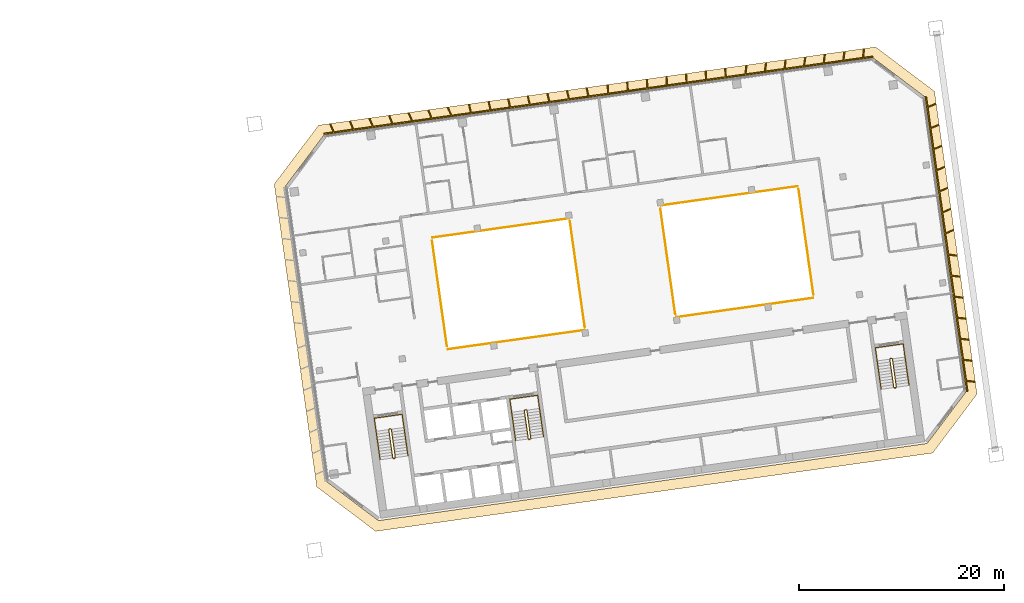
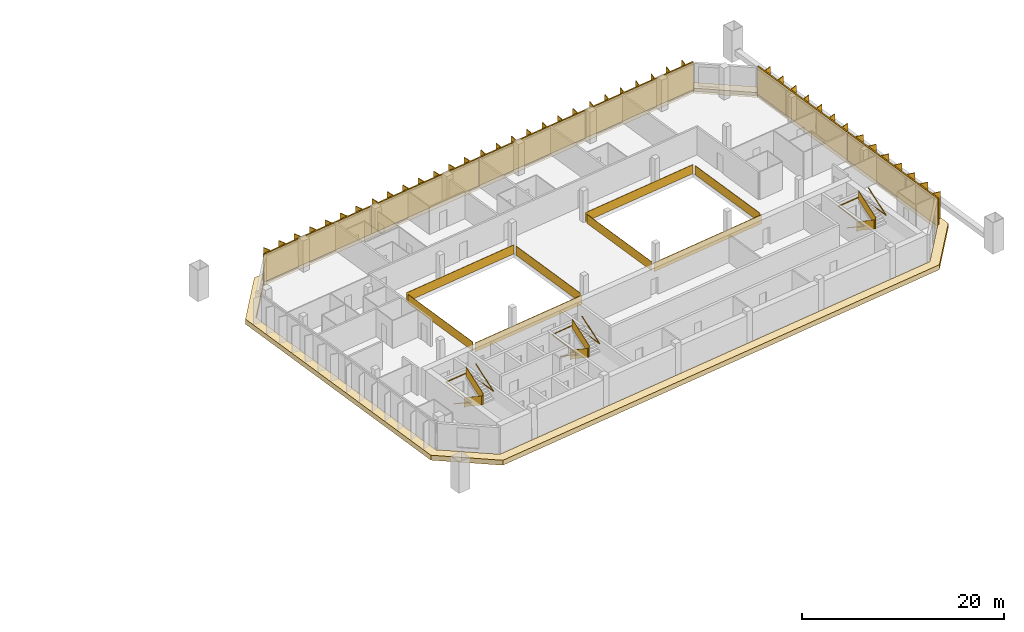
# One storey, part 31 of 31: 14 railings, 6 shading devices, 1 covering.
"""IFC4 building model written with IfcOpenShell, lengths in metres."""

from ifc_helpers import new_model, si_unit, direction, frame, origin, origin_2d, place, context, subcontext, project, spatial, polyline, rectangle, outline, extrude, material, layer, layer_set, type_object, element, save


model = new_model("IFC4")

# Units and contexts
model_context = context("Model", 3, precision=1e-05, world=origin(), true_north=direction((0.0, 1.0)))
body_context = subcontext(model_context, "Body", "Model", "MODEL_VIEW")
ifc_project = project(units=[si_unit("LENGTHUNIT", "METRE"), si_unit("AREAUNIT", "SQUARE_METRE"), si_unit("VOLUMEUNIT", "CUBIC_METRE"), si_unit("PLANEANGLEUNIT", "RADIAN"), si_unit("MASSUNIT", "GRAM", prefix="KILO")], contexts=[model_context])

# Site, building, storey
site_placement = place(None, origin())
site = spatial("IfcSite", under=ifc_project, at=site_placement, CompositionType="ELEMENT")
building_placement = place(site_placement, origin())
building = spatial("IfcBuilding", under=site, at=building_placement, Name="Mirante Cascada Hotel Towers", CompositionType="ELEMENT")
storey_placement = place(building_placement, frame((0.0, 0.0, 157.4)))
storey = spatial("IfcBuildingStorey", under=building, at=storey_placement, Name="L36", CompositionType="ELEMENT", Elevation=157.4)

# Railings
ifc_material_1 = material(Name="Toughened glass with stainless steel handrail", Category="steel")
railing_type_1 = type_object("IfcRailingType", Name="Atrium guard 1100 glass balustrade", PredefinedType="GUARDRAIL", material=ifc_material_1)
railing_1_placement = place(storey_placement, frame((43.8418, -3.4881, 0.0)))
element("IfcRailing", 1, at=railing_1_placement, inside=storey, type_object=railing_type_1, Name="GUARD 2-L36-1", PredefinedType="GUARDRAIL", context=body_context, shape_type="SweptSolid", body=[
    extrude(rectangle(XDim=0.048, YDim=0.048, at=origin_2d()), frame((0.0, 0.0, 1.076), z_axis=(0.9902674, 0.1391775, 0.0), x_axis=(-0.1391775, 0.9902674, 0.0)), (0.0, 0.0, 1.0), 13.4792),
    extrude(rectangle(XDim=0.02, YDim=1.052, at=origin_2d()), frame((0.0, 0.0, 0.526), z_axis=(0.9902674, 0.1391775, 0.0), x_axis=(-0.1391775, 0.9902674, 0.0)), (0.0, 0.0, 1.0), 13.4792),
])
railing_2_placement = place(storey_placement, frame((55.6589, 9.2808, 0.0)))
element("IfcRailing", 2, at=railing_2_placement, inside=storey, type_object=railing_type_1, Name="GUARD 2-L36-2", PredefinedType="GUARDRAIL", context=body_context, shape_type="SweptSolid", body=[
    extrude(rectangle(XDim=0.048, YDim=0.048, at=origin_2d()), frame((0.0, 0.0, 1.076), z_axis=(-0.9902685, -0.1391703, 0.0), x_axis=(0.1391703, -0.9902685, 0.0)), (0.0, 0.0, 1.0), 13.4792),
    extrude(rectangle(XDim=0.02, YDim=1.052, at=origin_2d()), frame((0.0, 0.0, 0.526), z_axis=(-0.9902685, -0.1391703, 0.0), x_axis=(0.1391703, -0.9902685, 0.0)), (0.0, 0.0, 1.0), 13.4792),
])
railing_3_placement = place(storey_placement, frame((66.1081, -0.3588, 0.0)))
element("IfcRailing", 3, at=railing_3_placement, inside=storey, type_object=railing_type_1, Name="GUARD 2-L36-3", PredefinedType="GUARDRAIL", context=body_context, shape_type="SweptSolid", body=[
    extrude(rectangle(XDim=0.048, YDim=0.048, at=origin_2d()), frame((0.0, 0.0, 1.076), z_axis=(0.9902672, 0.1391793, 0.0), x_axis=(-0.1391793, 0.9902672, 0.0)), (0.0, 0.0, 1.0), 13.5149),
    extrude(rectangle(XDim=0.02, YDim=1.052, at=origin_2d()), frame((0.0, 0.0, 0.526), z_axis=(0.9902672, 0.1391793, 0.0), x_axis=(-0.1391793, 0.9902672, 0.0)), (0.0, 0.0, 1.0), 13.5149),
    extrude(rectangle(XDim=0.048, YDim=0.048, at=origin_2d()), frame((13.3834, 1.881, 1.076), z_axis=(-0.9889364, -0.1483405, 0.0), x_axis=(0.1483405, -0.9889364, 0.0)), (0.0, 0.0, 1.0), 0.0061),
    extrude(rectangle(XDim=0.02, YDim=1.052, at=origin_2d()), frame((13.3834, 1.881, 0.526), z_axis=(-0.9889364, -0.1483405, 0.0), x_axis=(0.1483405, -0.9889364, 0.0)), (0.0, 0.0, 1.0), 0.0061),
])
railing_4_placement = place(storey_placement, frame((77.9546, 12.4143, 0.0)))
element("IfcRailing", 4, at=railing_4_placement, inside=storey, type_object=railing_type_1, Name="GUARD 2-L36-4", PredefinedType="GUARDRAIL", context=body_context, shape_type="SweptSolid", body=[
    extrude(rectangle(XDim=0.048, YDim=0.048, at=origin_2d()), frame((0.0, 0.0, 1.076), z_axis=(0.9912279, 0.1321637, 0.0), x_axis=(-0.1321637, 0.9912279, 0.0)), (0.0, 0.0, 1.0), 0.0061),
    extrude(rectangle(XDim=0.02, YDim=1.052, at=origin_2d()), frame((0.0, 0.0, 0.526), z_axis=(0.9912279, 0.1321637, 0.0), x_axis=(-0.1321637, 0.9912279, 0.0)), (0.0, 0.0, 1.0), 0.0061),
    extrude(rectangle(XDim=0.048, YDim=0.048, at=origin_2d()), frame((0.006, 0.0008, 1.076), z_axis=(-0.9902682, -0.1391721, 0.0), x_axis=(0.1391721, -0.9902682, 0.0)), (0.0, 0.0, 1.0), 13.5149),
    extrude(rectangle(XDim=0.02, YDim=1.052, at=origin_2d()), frame((0.006, 0.0008, 0.526), z_axis=(-0.9902682, -0.1391721, 0.0), x_axis=(0.1391721, -0.9902682, 0.0)), (0.0, 0.0, 1.0), 13.5149),
])
railing_5_placement = place(storey_placement, frame((42.3025, 7.1053, 0.0)))
element("IfcRailing", 5, at=railing_5_placement, inside=storey, type_object=railing_type_1, Name="GUARD 2-L36-5", PredefinedType="GUARDRAIL", context=body_context, shape_type="SweptSolid", body=[
    extrude(rectangle(XDim=0.048, YDim=0.048, at=origin_2d()), frame((0.0, 0.0, 1.076), z_axis=(0.1391776, -0.9902674, 0.0), x_axis=(0.9902674, 0.1391776, 0.0)), (0.0, 0.0, 1.0), 10.409),
    extrude(rectangle(XDim=0.02, YDim=1.052, at=origin_2d()), frame((0.0, 0.0, 0.526), z_axis=(0.1391776, -0.9902674, 0.0), x_axis=(0.9902674, 0.1391776, 0.0)), (0.0, 0.0, 1.0), 10.409),
])
railing_6_placement = place(storey_placement, frame((57.1972, -1.3125, 0.0)))
element("IfcRailing", 6, at=railing_6_placement, inside=storey, type_object=railing_type_1, Name="GUARD 2-L36-6", PredefinedType="GUARDRAIL", context=body_context, shape_type="SweptSolid", body=[
    extrude(rectangle(XDim=0.048, YDim=0.048, at=origin_2d()), frame((0.0, 0.0, 1.076), z_axis=(-0.1391721, 0.9902682, 0.0), x_axis=(-0.9902682, -0.1391721, 0.0)), (0.0, 0.0, 1.0), 10.4087),
    extrude(rectangle(XDim=0.02, YDim=1.052, at=origin_2d()), frame((0.0, 0.0, 0.526), z_axis=(-0.1391721, 0.9902682, 0.0), x_axis=(-0.9902682, -0.1391721, 0.0)), (0.0, 0.0, 1.0), 10.4087),
])
railing_7_placement = place(storey_placement, frame((64.5698, 10.2346, 0.0)))
element("IfcRailing", 7, at=railing_7_placement, inside=storey, type_object=railing_type_1, Name="GUARD 2-L36-7", PredefinedType="GUARDRAIL", context=body_context, shape_type="SweptSolid", body=[
    extrude(rectangle(XDim=0.048, YDim=0.048, at=origin_2d()), frame((0.0, 0.0, 1.076), z_axis=(0.1391721, -0.9902682, 0.0), x_axis=(0.9902682, 0.1391721, 0.0)), (0.0, 0.0, 1.0), 10.4087),
    extrude(rectangle(XDim=0.02, YDim=1.052, at=origin_2d()), frame((0.0, 0.0, 0.526), z_axis=(0.1391721, -0.9902682, 0.0), x_axis=(0.9902682, 0.1391721, 0.0)), (0.0, 0.0, 1.0), 10.4087),
])
railing_8_placement = place(storey_placement, frame((79.4999, 1.8217, 0.0)))
element("IfcRailing", 8, at=railing_8_placement, inside=storey, type_object=railing_type_1, Name="GUARD 2-L36-8", PredefinedType="GUARDRAIL", context=body_context, shape_type="SweptSolid", body=[
    extrude(rectangle(XDim=0.048, YDim=0.048, at=origin_2d()), frame((0.0, 0.0, 1.076), z_axis=(-0.1391762, 0.9902676, 0.0), x_axis=(-0.9902676, -0.1391762, 0.0)), (0.0, 0.0, 1.0), 10.4091),
    extrude(rectangle(XDim=0.02, YDim=1.052, at=origin_2d()), frame((0.0, 0.0, 0.526), z_axis=(-0.1391762, 0.9902676, 0.0), x_axis=(-0.9902676, -0.1391762, 0.0)), (0.0, 0.0, 1.0), 10.4091),
])

# Covering
ifc_material_2 = material(Name="Precast concrete C40/50 white", Category="concrete")
ifc_layer = layer(ifc_material_2, 0.6)
ifc_layer_set = layer_set([ifc_layer], Name="Precast concrete SUNSHADE band 1000x600")
covering_type = type_object("IfcCoveringType", Name="Precast concrete SUNSHADE band 1000x600", PredefinedType="CLADDING", material=ifc_layer_set)
covering_placement = place(storey_placement, frame((0.0, 0.0, -0.45)))
element("IfcCovering", 9, at=covering_placement, inside=storey, type_object=covering_type, Name="Precast concrete SUNSHADE band T2 L36", PredefinedType="CLADDING", context=body_context, shape_type="SweptSolid", body=[
    extrude(outline(polyline([(26.8987, 12.6249), (31.2272, 18.369), (85.5574, 26.0046), (91.3015, 21.6761), (95.4528, -7.862), (91.1243, -13.6061), (36.7941, -21.2417), (31.05, -16.9132), (26.8987, 12.6249)]), holes=[polyline([(94.4049, -7.591), (90.3689, 21.1268), (85.2864, 24.9567), (31.7765, 17.4364), (27.9466, 12.3539), (31.9826, -16.3639), (37.0651, -20.1938), (90.575, -12.6735), (94.4049, -7.591)])]), origin(), (0.0, 0.0, 1.0), 0.6),
])

# Railings
ifc_material_3 = material(Name="Painted steel", Category="steel")
railing_type_2 = type_object("IfcRailingType", Name="Stair guard 1100 steel balustrade", PredefinedType="GUARDRAIL", material=ifc_material_3)
railing_9_placement = place(storey_placement, frame((38.2663, -11.2395, 0.0)))
element("IfcRailing", 10, at=railing_9_placement, inside=storey, type_object=railing_type_2, Name="L36 ST2-A stair guard 1", PredefinedType="GUARDRAIL", context=body_context, shape_type="SweptSolid", body=[
    extrude(rectangle(XDim=0.048, YDim=0.048, at=origin_2d()), frame((0.0, 0.0, 1.076), z_axis=(-0.9903326, -0.1387133, 0.0), x_axis=(0.1387133, -0.9903326, 0.0)), (0.0, 0.0, 1.0), 0.1499),
    extrude(rectangle(XDim=0.02, YDim=1.052, at=origin_2d()), frame((0.0, 0.0, 0.526), z_axis=(-0.9903326, -0.1387133, 0.0), x_axis=(0.1387133, -0.9903326, 0.0)), (0.0, 0.0, 1.0), 0.1499),
    extrude(rectangle(XDim=0.048, YDim=0.048, at=origin_2d()), frame((-0.1485, -0.0208, 1.076), z_axis=(-0.6020331, -0.7984711, 0.0), x_axis=(0.7984711, -0.6020331, 0.0)), (0.0, 0.9253398, 0.3791387), 0.1866),
    extrude(rectangle(XDim=0.02, YDim=1.052, at=origin_2d()), frame((-0.1485, -0.0208, 0.526), z_axis=(-0.6020331, -0.7984711, 0.0), x_axis=(0.7984711, -0.6020331, 0.0)), (0.0, 0.9253398, 0.3791387), 0.1866),
    extrude(rectangle(XDim=0.048, YDim=0.048, at=origin_2d()), frame((-0.1911, -0.0773, 1.2487), z_axis=(0.139176, -0.9902677, 0.0), x_axis=(0.9902677, 0.139176, 0.0)), (0.0, 0.5250212, 0.8510891), 3.29),
    extrude(rectangle(XDim=0.02, YDim=1.052, at=origin_2d()), frame((-0.1911, -0.0773, 0.6987), z_axis=(0.139176, -0.9902677, 0.0), x_axis=(0.9902677, 0.139176, 0.0)), (0.0, 0.5250212, 0.8510891), 3.29),
    extrude(rectangle(XDim=0.048, YDim=0.048, at=origin_2d()), frame((0.1986, -2.8501, 2.976), z_axis=(0.9944948, -0.1047858, 0.0), x_axis=(0.1047858, 0.9944948, 0.0)), (0.0, 0.0, 1.0), 0.2061),
    extrude(rectangle(XDim=0.02, YDim=1.052, at=origin_2d()), frame((0.1986, -2.8501, 2.426), z_axis=(0.9944948, -0.1047858, 0.0), x_axis=(0.1047858, 0.9944948, 0.0)), (0.0, 0.0, 1.0), 0.2061),
    extrude(rectangle(XDim=0.048, YDim=0.048, at=origin_2d()), frame((0.4036, -2.8717, 2.976), z_axis=(-0.9902408, -0.1393672, 0.0), x_axis=(0.1393672, -0.9902408, 0.0)), (0.0, 0.0, 1.0), 0.15),
    extrude(rectangle(XDim=0.02, YDim=1.052, at=origin_2d()), frame((0.4036, -2.8717, 2.426), z_axis=(-0.9902408, -0.1393672, 0.0), x_axis=(0.1393672, -0.9902408, 0.0)), (0.0, 0.0, 1.0), 0.15),
    extrude(rectangle(XDim=0.048, YDim=0.048, at=origin_2d()), frame((0.2551, -2.8926, 2.976), z_axis=(0.9270311, 0.3749843, 0.0), x_axis=(-0.3749843, 0.9270311, 0.0)), (0.0, 0.6421903, 0.7665452), 0.2689),
    extrude(rectangle(XDim=0.02, YDim=1.052, at=origin_2d()), frame((0.2551, -2.8926, 2.426), z_axis=(0.9270311, 0.3749843, 0.0), x_axis=(-0.3749843, 0.9270311, 0.0)), (0.0, 0.6421903, 0.7665452), 0.2689),
    extrude(rectangle(XDim=0.048, YDim=0.048, at=origin_2d()), frame((0.4462, -2.8153, 3.1487), z_axis=(-0.139176, 0.9902677, 0.0), x_axis=(-0.9902677, -0.139176, 0.0)), (0.0, 0.5250212, 0.8510891), 3.29),
    extrude(rectangle(XDim=0.02, YDim=1.052, at=origin_2d()), frame((0.4462, -2.8153, 2.5987), z_axis=(-0.139176, 0.9902677, 0.0), x_axis=(-0.9902677, -0.139176, 0.0)), (0.0, 0.5250212, 0.8510891), 3.29),
])
railing_10_placement = place(storey_placement, frame((51.4864, -9.3815, 0.0)))
element("IfcRailing", 11, at=railing_10_placement, inside=storey, type_object=railing_type_2, Name="L36 ST2-B stair guard 1", PredefinedType="GUARDRAIL", context=body_context, shape_type="SweptSolid", body=[
    extrude(rectangle(XDim=0.048, YDim=0.048, at=origin_2d()), frame((0.0, 0.0, 1.076), z_axis=(-0.9902408, -0.1393672, 0.0), x_axis=(0.1393672, -0.9902408, 0.0)), (0.0, 0.0, 1.0), 0.15),
    extrude(rectangle(XDim=0.02, YDim=1.052, at=origin_2d()), frame((0.0, 0.0, 0.526), z_axis=(-0.9902408, -0.1393672, 0.0), x_axis=(0.1393672, -0.9902408, 0.0)), (0.0, 0.0, 1.0), 0.15),
    extrude(rectangle(XDim=0.048, YDim=0.048, at=origin_2d()), frame((-0.1485, -0.0209, 1.076), z_axis=(-0.6020331, -0.7984711, 0.0), x_axis=(0.7984711, -0.6020331, 0.0)), (0.0, 0.9253398, 0.3791387), 0.1866),
    extrude(rectangle(XDim=0.02, YDim=1.052, at=origin_2d()), frame((-0.1485, -0.0209, 0.526), z_axis=(-0.6020331, -0.7984711, 0.0), x_axis=(0.7984711, -0.6020331, 0.0)), (0.0, 0.9253398, 0.3791387), 0.1866),
    extrude(rectangle(XDim=0.048, YDim=0.048, at=origin_2d()), frame((-0.1911, -0.0774, 1.2487), z_axis=(0.139181, -0.990267, 0.0), x_axis=(0.990267, 0.139181, 0.0)), (0.0, 0.5250347, 0.8510808), 3.2899),
    extrude(rectangle(XDim=0.02, YDim=1.052, at=origin_2d()), frame((-0.1911, -0.0774, 0.6987), z_axis=(0.139181, -0.990267, 0.0), x_axis=(0.990267, 0.139181, 0.0)), (0.0, 0.5250347, 0.8510808), 3.2899),
    extrude(rectangle(XDim=0.048, YDim=0.048, at=origin_2d()), frame((0.1986, -2.8501, 2.976), z_axis=(0.9944441, -0.1052656, 0.0), x_axis=(0.1052656, 0.9944441, 0.0)), (0.0, 0.0, 1.0), 0.2061),
    extrude(rectangle(XDim=0.02, YDim=1.052, at=origin_2d()), frame((0.1986, -2.8501, 2.426), z_axis=(0.9944441, -0.1052656, 0.0), x_axis=(0.1052656, 0.9944441, 0.0)), (0.0, 0.0, 1.0), 0.2061),
    extrude(rectangle(XDim=0.048, YDim=0.048, at=origin_2d()), frame((0.4036, -2.8718, 2.976), z_axis=(-0.9902408, -0.1393672, 0.0), x_axis=(0.1393672, -0.9902408, 0.0)), (0.0, 0.0, 1.0), 0.15),
    extrude(rectangle(XDim=0.02, YDim=1.052, at=origin_2d()), frame((0.4036, -2.8718, 2.426), z_axis=(-0.9902408, -0.1393672, 0.0), x_axis=(0.1393672, -0.9902408, 0.0)), (0.0, 0.0, 1.0), 0.15),
    extrude(rectangle(XDim=0.048, YDim=0.048, at=origin_2d()), frame((0.2551, -2.8927, 2.976), z_axis=(0.9268624, 0.3754011, 0.0), x_axis=(-0.3754011, 0.9268624, 0.0)), (0.0, 0.6421217, 0.7666028), 0.269),
    extrude(rectangle(XDim=0.02, YDim=1.052, at=origin_2d()), frame((0.2551, -2.8927, 2.426), z_axis=(0.9268624, 0.3754011, 0.0), x_axis=(-0.3754011, 0.9268624, 0.0)), (0.0, 0.6421217, 0.7666028), 0.269),
    extrude(rectangle(XDim=0.048, YDim=0.048, at=origin_2d()), frame((0.4462, -2.8153, 3.1487), z_axis=(-0.139181, 0.990267, 0.0), x_axis=(-0.990267, -0.139181, 0.0)), (0.0, 0.5250347, 0.8510808), 3.2899),
    extrude(rectangle(XDim=0.02, YDim=1.052, at=origin_2d()), frame((0.4462, -2.8153, 2.5987), z_axis=(-0.139181, 0.990267, 0.0), x_axis=(-0.990267, -0.139181, 0.0)), (0.0, 0.5250347, 0.8510808), 3.2899),
])
railing_11_placement = place(storey_placement, frame((87.1361, -4.3713, 0.0)))
element("IfcRailing", 12, at=railing_11_placement, inside=storey, type_object=railing_type_2, Name="L36 ST2-C stair guard 1", PredefinedType="GUARDRAIL", context=body_context, shape_type="SweptSolid", body=[
    extrude(rectangle(XDim=0.048, YDim=0.048, at=origin_2d()), frame((0.0, 0.0, 1.076), z_axis=(-0.9902537, -0.1392753, 0.0), x_axis=(0.1392753, -0.9902537, 0.0)), (0.0, 0.0, 1.0), 0.1501),
    extrude(rectangle(XDim=0.02, YDim=1.052, at=origin_2d()), frame((0.0, 0.0, 0.526), z_axis=(-0.9902537, -0.1392753, 0.0), x_axis=(0.1392753, -0.9902537, 0.0)), (0.0, 0.0, 1.0), 0.1501),
    extrude(rectangle(XDim=0.048, YDim=0.048, at=origin_2d()), frame((-0.1486, -0.0209, 1.076), z_axis=(-0.601811, -0.7986386, 0.0), x_axis=(0.7986386, -0.601811, 0.0)), (0.0, 0.925603, 0.3784959), 0.1866),
    extrude(rectangle(XDim=0.02, YDim=1.052, at=origin_2d()), frame((-0.1486, -0.0209, 0.526), z_axis=(-0.601811, -0.7986386, 0.0), x_axis=(0.7986386, -0.601811, 0.0)), (0.0, 0.925603, 0.3784959), 0.1866),
    extrude(rectangle(XDim=0.048, YDim=0.048, at=origin_2d()), frame((-0.1911, -0.0773, 1.2487), z_axis=(0.139176, -0.9902677, 0.0), x_axis=(0.9902677, 0.139176, 0.0)), (0.0, 0.5250212, 0.8510891), 3.29),
    extrude(rectangle(XDim=0.02, YDim=1.052, at=origin_2d()), frame((-0.1911, -0.0773, 0.6987), z_axis=(0.139176, -0.9902677, 0.0), x_axis=(0.9902677, 0.139176, 0.0)), (0.0, 0.5250212, 0.8510891), 3.29),
    extrude(rectangle(XDim=0.048, YDim=0.048, at=origin_2d()), frame((0.1986, -2.8501, 2.976), z_axis=(0.9944441, -0.1052656, 0.0), x_axis=(0.1052656, 0.9944441, 0.0)), (0.0, 0.0, 1.0), 0.2061),
    extrude(rectangle(XDim=0.02, YDim=1.052, at=origin_2d()), frame((0.1986, -2.8501, 2.426), z_axis=(0.9944441, -0.1052656, 0.0), x_axis=(0.1052656, 0.9944441, 0.0)), (0.0, 0.0, 1.0), 0.2061),
    extrude(rectangle(XDim=0.048, YDim=0.048, at=origin_2d()), frame((0.4036, -2.8718, 2.976), z_axis=(-0.9903454, -0.1386217, 0.0), x_axis=(0.1386217, -0.9903454, 0.0)), (0.0, 0.0, 1.0), 0.15),
    extrude(rectangle(XDim=0.02, YDim=1.052, at=origin_2d()), frame((0.4036, -2.8718, 2.426), z_axis=(-0.9903454, -0.1386217, 0.0), x_axis=(0.1386217, -0.9903454, 0.0)), (0.0, 0.0, 1.0), 0.15),
    extrude(rectangle(XDim=0.048, YDim=0.048, at=origin_2d()), frame((0.255, -2.8926, 2.976), z_axis=(0.9270311, 0.3749843, 0.0), x_axis=(-0.3749843, 0.9270311, 0.0)), (0.0, 0.6421903, 0.7665452), 0.2689),
    extrude(rectangle(XDim=0.02, YDim=1.052, at=origin_2d()), frame((0.255, -2.8926, 2.426), z_axis=(0.9270311, 0.3749843, 0.0), x_axis=(-0.3749843, 0.9270311, 0.0)), (0.0, 0.6421903, 0.7665452), 0.2689),
    extrude(rectangle(XDim=0.048, YDim=0.048, at=origin_2d()), frame((0.4461, -2.8153, 3.1487), z_axis=(-0.139176, 0.9902677, 0.0), x_axis=(-0.9902677, -0.139176, 0.0)), (0.0, 0.5250212, 0.8510891), 3.29),
    extrude(rectangle(XDim=0.02, YDim=1.052, at=origin_2d()), frame((0.4461, -2.8153, 2.5987), z_axis=(-0.139176, 0.9902677, 0.0), x_axis=(-0.9902677, -0.139176, 0.0)), (0.0, 0.5250212, 0.8510891), 3.29),
])
ifc_material_4 = material(Name="Painted steel", Category="steel")
railing_type_3 = type_object("IfcRailingType", Name="Stair handrail 900 steel tube", PredefinedType="HANDRAIL", material=ifc_material_4)
railing_12_placement = place(storey_placement, frame((36.8374, -11.4908, 0.1727)))
element("IfcRailing", 13, at=railing_12_placement, inside=storey, type_object=railing_type_3, Name="L36 ST2-A stair handrail 1", PredefinedType="HANDRAIL", context=body_context, shape_type="SweptSolid", body=[
    extrude(rectangle(XDim=0.048, YDim=0.048, at=origin_2d()), frame((0.0, 0.0, 0.876), z_axis=(0.139181, -0.990267, 0.0), x_axis=(0.990267, 0.139181, 0.0)), (0.0, 0.5250347, 0.8510808), 3.2899),
    extrude(rectangle(XDim=0.048, YDim=0.048, at=origin_2d()), frame((0.3897, -2.7727, 2.6033), z_axis=(-0.1391707, 0.9902684, 0.0), x_axis=(-0.9902684, -0.1391707, 0.0)), (0.0, 0.0420846, 0.999114), 4.1036),
    extrude(rectangle(XDim=0.048, YDim=0.048, at=origin_2d()), frame((-0.1809, 1.2874, 2.776), z_axis=(0.9902691, 0.1391657, 0.0), x_axis=(-0.1391657, 0.9902691, 0.0)), (0.0, 0.0, 1.0), 2.75),
    extrude(rectangle(XDim=0.048, YDim=0.048, at=origin_2d()), frame((2.5423, 1.6701, 2.776), z_axis=(0.1391707, -0.9902684, 0.0), x_axis=(0.9902684, 0.1391707, 0.0)), (0.0, 0.0, 1.0), 4.1),
    extrude(rectangle(XDim=0.048, YDim=0.048, at=origin_2d()), frame((3.1129, -2.39, 2.776), z_axis=(-0.139181, 0.990267, 0.0), x_axis=(-0.990267, -0.139181, 0.0)), (0.0, 0.5250347, 0.8510808), 3.2899),
])
railing_13_placement = place(storey_placement, frame((50.0575, -9.6328, 0.1727)))
element("IfcRailing", 14, at=railing_13_placement, inside=storey, type_object=railing_type_3, Name="L36 ST2-B stair handrail 1", PredefinedType="HANDRAIL", context=body_context, shape_type="SweptSolid", body=[
    extrude(rectangle(XDim=0.048, YDim=0.048, at=origin_2d()), frame((0.0, 0.0, 0.876), z_axis=(0.139176, -0.9902677, 0.0), x_axis=(0.9902677, 0.139176, 0.0)), (0.0, 0.5250212, 0.8510891), 3.29),
    extrude(rectangle(XDim=0.048, YDim=0.048, at=origin_2d()), frame((0.3897, -2.7728, 2.6033), z_axis=(-0.1391707, 0.9902684, 0.0), x_axis=(-0.9902684, -0.1391707, 0.0)), (0.0, 0.0420846, 0.999114), 4.1036),
    extrude(rectangle(XDim=0.048, YDim=0.048, at=origin_2d()), frame((-0.1809, 1.2873, 2.776), z_axis=(0.9902641, 0.1392013, 0.0), x_axis=(-0.1392013, 0.9902641, 0.0)), (0.0, 0.0, 1.0), 2.75),
    extrude(rectangle(XDim=0.048, YDim=0.048, at=origin_2d()), frame((2.5423, 1.6701, 2.776), z_axis=(0.1391707, -0.9902684, 0.0), x_axis=(0.9902684, 0.1391707, 0.0)), (0.0, 0.0, 1.0), 4.1),
    extrude(rectangle(XDim=0.048, YDim=0.048, at=origin_2d()), frame((3.1129, -2.39, 2.776), z_axis=(-0.139181, 0.990267, 0.0), x_axis=(-0.990267, -0.139181, 0.0)), (0.0, 0.5250347, 0.8510808), 3.2899),
])
railing_14_placement = place(storey_placement, frame((85.7071, -4.6226, 0.1727)))
element("IfcRailing", 15, at=railing_14_placement, inside=storey, type_object=railing_type_3, Name="L36 ST2-C stair handrail 1", PredefinedType="HANDRAIL", context=body_context, shape_type="SweptSolid", body=[
    extrude(rectangle(XDim=0.048, YDim=0.048, at=origin_2d()), frame((0.0, 0.0, 0.876), z_axis=(0.139181, -0.990267, 0.0), x_axis=(0.990267, 0.139181, 0.0)), (0.0, 0.5250347, 0.8510808), 3.2899),
    extrude(rectangle(XDim=0.048, YDim=0.048, at=origin_2d()), frame((0.3897, -2.7727, 2.6033), z_axis=(-0.1391707, 0.9902684, 0.0), x_axis=(-0.9902684, -0.1391707, 0.0)), (0.0, 0.0420846, 0.999114), 4.1036),
    extrude(rectangle(XDim=0.048, YDim=0.048, at=origin_2d()), frame((-0.1809, 1.2874, 2.776), z_axis=(0.9902691, 0.1391657, 0.0), x_axis=(-0.1391657, 0.9902691, 0.0)), (0.0, 0.0, 1.0), 2.75),
    extrude(rectangle(XDim=0.048, YDim=0.048, at=origin_2d()), frame((2.5423, 1.6701, 2.776), z_axis=(0.1391947, -0.990265, 0.0), x_axis=(0.990265, 0.1391947, 0.0)), (0.0, 0.0, 1.0), 4.1),
    extrude(rectangle(XDim=0.048, YDim=0.048, at=origin_2d()), frame((3.113, -2.39, 2.776), z_axis=(-0.139181, 0.990267, 0.0), x_axis=(-0.990267, -0.139181, 0.0)), (0.0, 0.5250347, 0.8510808), 3.2899),
])

# Shading devices
ifc_material_5 = material(Name="White precast concrete C50/60 fin", Category="concrete")
shading_device_type = type_object("IfcShadingDeviceType", Name="Vertical fin set 4500x900", PredefinedType="USERDEFINED", material=ifc_material_5)
shading_device_1_placement = place(storey_placement, origin())
element("IfcShadingDevice", 16, at=shading_device_1_placement, inside=storey, type_object=shading_device_type, Name="FIN T2 L36 front 1", ObjectType="FIN", PredefinedType="USERDEFINED", context=body_context, shape_type="SweptSolid", body=[
    extrude(outline(polyline([(72.9999, 24.1984), (72.8979, 23.3671), (74.7269, 23.6242), (74.8316, 24.4767), (74.911, 24.467), (74.8089, 23.6357), (76.638, 23.8927), (76.7427, 24.7453), (76.8221, 24.7355), (76.72, 23.9043), (78.549, 24.1613), (78.6537, 25.0139), (78.7331, 25.0041), (78.6311, 24.1728), (80.4601, 24.4299), (80.5648, 25.2825), (80.6442, 25.2727), (80.5421, 24.4414), (82.3712, 24.6985), (82.4759, 25.551), (82.5553, 25.5413), (82.4532, 24.71), (84.2822, 24.9671), (84.3869, 25.8196), (84.4663, 25.8099), (84.3643, 24.9786), (85.2655, 25.1053), (85.2864, 24.9567), (71.9089, 23.0766), (71.888, 23.2252), (72.8158, 23.3556), (72.9205, 24.2081), (72.9999, 24.1984)])), origin(), (0.0, 0.0, 1.0), 3.35),
])
shading_device_2_placement = place(storey_placement, origin())
element("IfcShadingDevice", 17, at=shading_device_2_placement, inside=storey, type_object=shading_device_type, Name="FIN T2 L36 front 2", ObjectType="FIN", PredefinedType="USERDEFINED", context=body_context, shape_type="SweptSolid", body=[
    extrude(outline(polyline([(59.4659, 22.3307), (59.5102, 21.4856), (61.3418, 21.743), (61.2971, 22.5951), (61.377, 22.5993), (61.4213, 21.7542), (63.2528, 22.0116), (63.2082, 22.8637), (63.2881, 22.8679), (63.3323, 22.0228), (65.1639, 22.2802), (65.1192, 23.1323), (65.1991, 23.1365), (65.2434, 22.2913), (67.075, 22.5487), (67.0303, 23.4009), (67.1102, 23.4051), (67.1545, 22.5599), (68.986, 22.8173), (68.9414, 23.6695), (69.0213, 23.6737), (69.0655, 22.8285), (70.8971, 23.0859), (70.8524, 23.938), (70.9323, 23.9422), (70.9766, 23.0971), (71.888, 23.2252), (71.9089, 23.0766), (58.5315, 21.1966), (58.5106, 21.3451), (59.4307, 21.4744), (59.386, 22.3266), (59.4659, 22.3307)])), origin(), (0.0, 0.0, 1.0), 3.35),
])
shading_device_3_placement = place(storey_placement, origin())
element("IfcShadingDevice", 18, at=shading_device_3_placement, inside=storey, type_object=shading_device_type, Name="FIN T2 L36 front 3", ObjectType="FIN", PredefinedType="USERDEFINED", context=body_context, shape_type="SweptSolid", body=[
    extrude(outline(polyline([(45.9321, 20.4357), (46.1241, 19.6043), (47.9556, 19.8617), (47.7652, 20.6863), (47.8432, 20.7043), (48.0351, 19.8729), (49.8667, 20.1303), (49.6763, 20.9549), (49.7543, 20.9729), (49.9462, 20.1415), (51.7778, 20.3989), (51.5874, 21.2235), (51.6653, 21.2415), (51.8573, 20.41), (53.6888, 20.6674), (53.4984, 21.4921), (53.5764, 21.5101), (53.7683, 20.6786), (55.5999, 20.936), (55.4095, 21.7606), (55.4875, 21.7786), (55.6794, 20.9472), (57.511, 21.2046), (57.3206, 22.0292), (57.3985, 22.0472), (57.5905, 21.2158), (58.5106, 21.3451), (58.5315, 21.1966), (45.154, 19.3165), (45.1331, 19.465), (46.0446, 19.5931), (45.8542, 20.4177), (45.9321, 20.4357)])), origin(), (0.0, 0.0, 1.0), 3.35),
])
shading_device_4_placement = place(storey_placement, origin())
element("IfcShadingDevice", 19, at=shading_device_4_placement, inside=storey, type_object=shading_device_type, Name="FIN T2 L36 front 4", ObjectType="FIN", PredefinedType="USERDEFINED", context=body_context, shape_type="SweptSolid", body=[
    extrude(outline(polyline([(32.4033, 18.5138), (32.7389, 17.7231), (34.568, 17.9802), (34.2407, 18.7511), (34.3144, 18.7824), (34.65, 17.9917), (36.479, 18.2488), (36.1518, 19.0197), (36.2254, 19.051), (36.5611, 18.2603), (38.3901, 18.5174), (38.0629, 19.2883), (38.1365, 19.3195), (38.4721, 18.5289), (40.3012, 18.7859), (39.9739, 19.5569), (40.0476, 19.5881), (40.3832, 18.7975), (42.2122, 19.0545), (41.885, 19.8255), (41.9586, 19.8567), (42.2943, 19.066), (44.1233, 19.3231), (43.7961, 20.094), (43.8697, 20.1253), (44.2053, 19.3346), (45.1331, 19.465), (45.154, 19.3165), (31.7765, 17.4364), (31.7556, 17.5849), (32.6569, 17.7116), (32.3297, 18.4825), (32.4033, 18.5138)])), origin(), (0.0, 0.0, 1.0), 3.35),
])
shading_device_5_placement = place(storey_placement, origin())
element("IfcShadingDevice", 20, at=shading_device_5_placement, inside=storey, type_object=shading_device_type, Name="FIN T2 L36 outer 1", ObjectType="FIN", PredefinedType="USERDEFINED", context=body_context, shape_type="SweptSolid", body=[
    extrude(outline(polyline([(95.2482, -6.7008), (94.4169, -6.5987), (94.5534, -7.5701), (94.4049, -7.591), (92.3869, 6.7679), (92.5354, 6.7888), (92.6757, 5.7909), (93.5282, 5.6862), (93.5185, 5.6068), (92.6872, 5.7089), (92.964, 3.7396), (93.8165, 3.6349), (93.8068, 3.5555), (92.9755, 3.6576), (93.2522, 1.6883), (94.1048, 1.5837), (94.095, 1.5043), (93.2638, 1.6063), (93.5405, -0.3629), (94.3931, -0.4676), (94.3833, -0.547), (93.5521, -0.4449), (93.8288, -2.4142), (94.6814, -2.5189), (94.6716, -2.5983), (93.8403, -2.4962), (94.1171, -4.4655), (94.9697, -4.5701), (94.9599, -4.6495), (94.1286, -4.5475), (94.4054, -6.5167), (95.2579, -6.6214), (95.2482, -6.7008)])), origin(), (0.0, 0.0, 1.0), 3.35),
])
shading_device_6_placement = place(storey_placement, origin())
element("IfcShadingDevice", 21, at=shading_device_6_placement, inside=storey, type_object=shading_device_type, Name="FIN T2 L36 outer 2", ObjectType="FIN", PredefinedType="USERDEFINED", context=body_context, shape_type="SweptSolid", body=[
    extrude(outline(polyline([(93.1859, 8.1223), (92.3952, 7.7867), (92.5354, 6.7888), (92.3869, 6.7679), (90.3689, 21.1268), (90.5174, 21.1477), (90.6539, 20.1763), (91.4249, 20.5036), (91.4561, 20.4299), (90.6655, 20.0943), (90.9422, 18.125), (91.7132, 18.4523), (91.7444, 18.3786), (90.9537, 18.043), (91.2305, 16.0738), (92.0014, 16.401), (92.0327, 16.3274), (91.242, 15.9918), (91.5188, 14.0225), (92.2897, 14.3497), (92.321, 14.2761), (91.5303, 13.9405), (91.8071, 11.9712), (92.578, 12.2985), (92.6093, 12.2248), (91.8186, 11.8892), (92.0954, 9.92), (92.8663, 10.2472), (92.8976, 10.1736), (92.1069, 9.8379), (92.3837, 7.8687), (93.1546, 8.1959), (93.1859, 8.1223)])), origin(), (0.0, 0.0, 1.0), 3.35),
])

save(model, "model.ifc")
